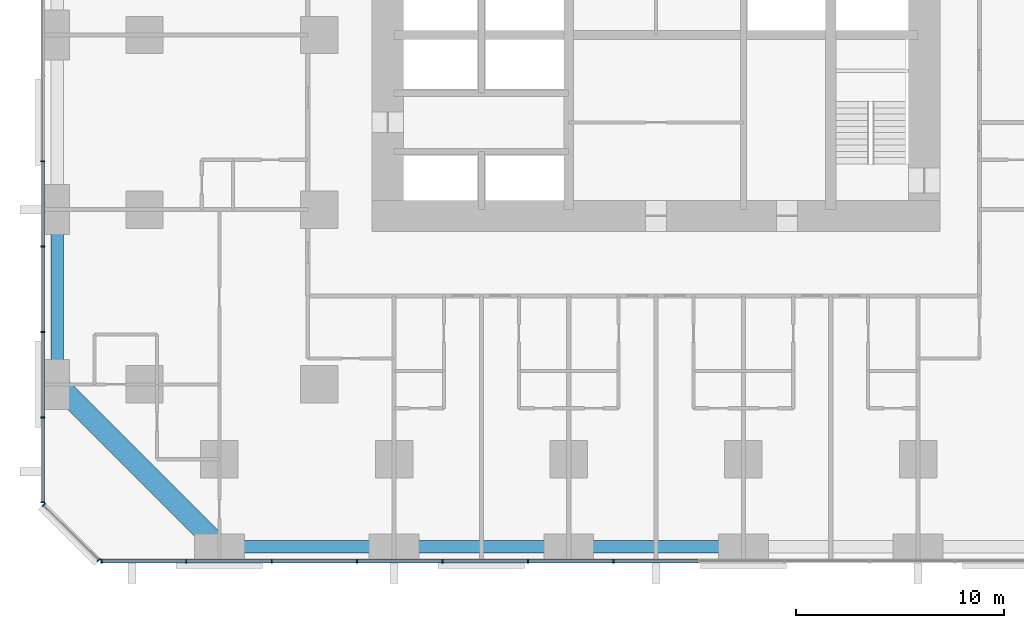
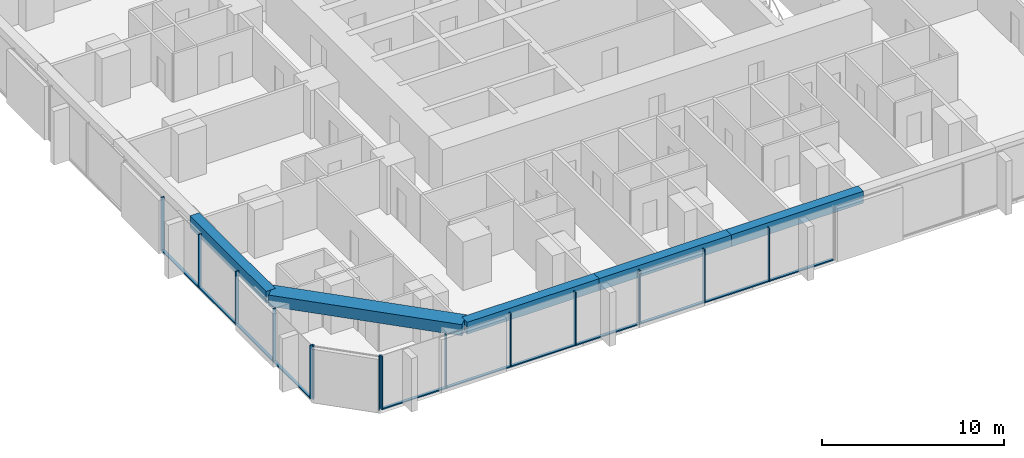
# One storey, part 2 of 17: 25 members, 5 beams, 3 elements without a shape of their own.
"""IFC4 building model written with IfcOpenShell, lengths in metres."""

from ifc_helpers import new_model, si_unit, direction, frame, origin, origin_2d, place, context, subcontext, project, spatial, rectangle, extrude, material, material_profile, profile_set, type_object, element, aggregate, save


model = new_model("IFC4")

# Units and contexts
model_context = context("Model", 3, precision=1e-05, world=origin(), true_north=direction((0.0, 1.0)))
body_context = subcontext(model_context, "Body", "Model", "MODEL_VIEW")
ifc_project = project(units=[si_unit("LENGTHUNIT", "METRE"), si_unit("AREAUNIT", "SQUARE_METRE"), si_unit("VOLUMEUNIT", "CUBIC_METRE"), si_unit("PLANEANGLEUNIT", "RADIAN"), si_unit("MASSUNIT", "GRAM", prefix="KILO")], contexts=[model_context])

# Site, building, storey
site_placement = place(None, origin())
site = spatial("IfcSite", under=ifc_project, at=site_placement, CompositionType="ELEMENT")
building_placement = place(site_placement, origin())
building = spatial("IfcBuilding", under=site, at=building_placement, Name="Dunama Terrace Hotel", CompositionType="ELEMENT")
storey_placement = place(building_placement, frame((0.0, 0.0, 73.800048828125)))
storey = spatial("IfcBuildingStorey", under=building, at=storey_placement, Name="L18", CompositionType="ELEMENT", Elevation=73.800048828125)

# Curtain wall, members
ifc_material_1 = material(Name="Aluminium curtain wall system", Category="aluminium")
curtain_wall_type = type_object("IfcCurtainWallType", Name="Unitised fritted glass wall CW-A", PredefinedType="NOTDEFINED", material=ifc_material_1)
curtain_wall_1_placement = place(storey_placement, origin())
curtain_wall_1 = element("IfcCurtainWall", 1, at=curtain_wall_1_placement, inside=storey, type_object=curtain_wall_type, Name="Unitised fritted glass wall CW-A L18", PredefinedType="NOTDEFINED")
ifc_material_2 = material(Name="Aluminium mullion", Category="aluminium")
ifc_material_profile_1 = material_profile(ifc_material_2, rectangle(XDim=0.06494140625, YDim=0.199951171875, at=origin_2d()), Name="CWA MULLION 65X200")
ifc_profile_set_1 = profile_set([ifc_material_profile_1], Name="Aluminium mullion")
member_type_1 = type_object("IfcMemberType", Name="CWA mullion 65x200", PredefinedType="MULLION", material=ifc_profile_set_1)
member_1_placement = place(storey_placement, frame((2.73291015625, -0.10009765625, 0.0), z_axis=(0.0, 0.0, 1.0), x_axis=(1.0, 0.0, 0.0)))
member_1 = element("IfcMember", 2, at=member_1_placement, type_object=member_type_1, Name="CWA mullion", PredefinedType="MULLION", context=body_context, shape_type="SweptSolid", body=[
    extrude(rectangle(XDim=0.06494140625, YDim=0.199951171875, at=origin_2d()), origin(), (0.0, 0.0, 1.0), 3.599853515625),
])
member_2_placement = place(storey_placement, frame((6.80810546875, -0.10009765625, 0.0), z_axis=(0.0, 0.0, 1.0), x_axis=(1.0, 0.0, 0.0)))
member_2 = element("IfcMember", 3, at=member_2_placement, type_object=member_type_1, Name="CWA mullion", PredefinedType="MULLION", context=body_context, shape_type="SweptSolid", body=[
    extrude(rectangle(XDim=0.06494140625, YDim=0.199951171875, at=origin_2d()), origin(), (0.0, 0.0, 1.0), 3.599853515625),
])
member_3_placement = place(storey_placement, frame((10.9150390625, -0.10009765625, 0.0), z_axis=(0.0, 0.0, 1.0), x_axis=(1.0, 0.0, 0.0)))
member_3 = element("IfcMember", 4, at=member_3_placement, type_object=member_type_1, Name="CWA mullion", PredefinedType="MULLION", context=body_context, shape_type="SweptSolid", body=[
    extrude(rectangle(XDim=0.06494140625, YDim=0.199951171875, at=origin_2d()), origin(), (0.0, 0.0, 1.0), 3.599853515625),
])
member_4_placement = place(storey_placement, frame((15.02294921875, -0.10009765625, 0.0), z_axis=(0.0, 0.0, 1.0), x_axis=(1.0, 0.0, 0.0)))
member_4 = element("IfcMember", 5, at=member_4_placement, type_object=member_type_1, Name="CWA mullion", PredefinedType="MULLION", context=body_context, shape_type="SweptSolid", body=[
    extrude(rectangle(XDim=0.06494140625, YDim=0.199951171875, at=origin_2d()), origin(), (0.0, 0.0, 1.0), 3.599853515625),
])
member_5_placement = place(storey_placement, frame((19.131103515625, -0.10009765625, 0.0), z_axis=(0.0, 0.0, 1.0), x_axis=(1.0, 0.0, 0.0)))
member_5 = element("IfcMember", 6, at=member_5_placement, type_object=member_type_1, Name="CWA mullion", PredefinedType="MULLION", context=body_context, shape_type="SweptSolid", body=[
    extrude(rectangle(XDim=0.06494140625, YDim=0.199951171875, at=origin_2d()), origin(), (0.0, 0.0, 1.0), 3.599853515625),
])
member_6_placement = place(storey_placement, frame((23.238037109375, -0.10009765625, 0.0), z_axis=(0.0, 0.0, 1.0), x_axis=(1.0, 0.0, 0.0)))
member_6 = element("IfcMember", 7, at=member_6_placement, type_object=member_type_1, Name="CWA mullion", PredefinedType="MULLION", context=body_context, shape_type="SweptSolid", body=[
    extrude(rectangle(XDim=0.06494140625, YDim=0.199951171875, at=origin_2d()), origin(), (0.0, 0.0, 1.0), 3.599853515625),
])
member_7_placement = place(storey_placement, frame((27.345947265625, -0.10009765625, 0.0), z_axis=(0.0, 0.0, 1.0), x_axis=(1.0, 0.0, 0.0)))
member_7 = element("IfcMember", 8, at=member_7_placement, type_object=member_type_1, Name="CWA mullion", PredefinedType="MULLION", context=body_context, shape_type="SweptSolid", body=[
    extrude(rectangle(XDim=0.06494140625, YDim=0.199951171875, at=origin_2d()), origin(), (0.0, 0.0, 1.0), 3.599853515625),
])

curtain_wall_2_placement = place(storey_placement, origin())
curtain_wall_2 = element("IfcCurtainWall", 9, at=curtain_wall_2_placement, inside=storey, type_object=curtain_wall_type, Name="Unitised fritted glass wall CW-A L18", PredefinedType="NOTDEFINED")
member_8_placement = place(storey_placement, frame((-0.10009765625, 19.131103515625, 0.0), z_axis=(0.0, 0.0, 1.0), x_axis=(0.0, -1.0, 0.0)))
member_8 = element("IfcMember", 10, at=member_8_placement, type_object=member_type_1, Name="CWA mullion", PredefinedType="MULLION", context=body_context, shape_type="SweptSolid", body=[
    extrude(rectangle(XDim=0.06494140625, YDim=0.199951171875, at=origin_2d()), origin(), (0.0, 0.0, 1.0), 3.599853515625),
])
member_9_placement = place(storey_placement, frame((-0.10009765625, 15.02294921875, 0.0), z_axis=(0.0, 0.0, 1.0), x_axis=(0.0, -1.0, 0.0)))
member_9 = element("IfcMember", 11, at=member_9_placement, type_object=member_type_1, Name="CWA mullion", PredefinedType="MULLION", context=body_context, shape_type="SweptSolid", body=[
    extrude(rectangle(XDim=0.06494140625, YDim=0.199951171875, at=origin_2d()), origin(), (0.0, 0.0, 1.0), 3.599853515625),
])
member_10_placement = place(storey_placement, frame((-0.10009765625, 10.9150390625, 0.0), z_axis=(0.0, 0.0, 1.0), x_axis=(0.0, -1.0, 0.0)))
member_10 = element("IfcMember", 12, at=member_10_placement, type_object=member_type_1, Name="CWA mullion", PredefinedType="MULLION", context=body_context, shape_type="SweptSolid", body=[
    extrude(rectangle(XDim=0.06494140625, YDim=0.199951171875, at=origin_2d()), origin(), (0.0, 0.0, 1.0), 3.599853515625),
])
member_11_placement = place(storey_placement, frame((-0.10009765625, 6.80810546875, 0.0), z_axis=(0.0, 0.0, 1.0), x_axis=(0.0, -1.0, 0.0)))
member_11 = element("IfcMember", 13, at=member_11_placement, type_object=member_type_1, Name="CWA mullion", PredefinedType="MULLION", context=body_context, shape_type="SweptSolid", body=[
    extrude(rectangle(XDim=0.06494140625, YDim=0.199951171875, at=origin_2d()), origin(), (0.0, 0.0, 1.0), 3.599853515625),
])
member_12_placement = place(storey_placement, frame((-0.10009765625, 2.73291015625, 0.0), z_axis=(0.0, 0.0, 1.0), x_axis=(0.0, -1.0, 0.0)))
member_12 = element("IfcMember", 14, at=member_12_placement, type_object=member_type_1, Name="CWA mullion", PredefinedType="MULLION", context=body_context, shape_type="SweptSolid", body=[
    extrude(rectangle(XDim=0.06494140625, YDim=0.199951171875, at=origin_2d()), origin(), (0.0, 0.0, 1.0), 3.599853515625),
])

curtain_wall_3_placement = place(storey_placement, origin())
curtain_wall_3 = element("IfcCurtainWall", 15, at=curtain_wall_3_placement, inside=storey, type_object=curtain_wall_type, Name="Unitised fritted glass wall CW-A L18", PredefinedType="NOTDEFINED")
member_13_placement = place(storey_placement, frame((-0.048095703125, 2.60595703125, 0.0), z_axis=(0.0, 0.0, 1.0), x_axis=(0.707106781187, -0.707106781187, 0.0)))
member_13 = element("IfcMember", 16, at=member_13_placement, type_object=member_type_1, Name="CWA mullion", PredefinedType="MULLION", context=body_context, shape_type="SweptSolid", body=[
    extrude(rectangle(XDim=0.06494140625, YDim=0.199951171875, at=origin_2d()), origin(), (0.0, 0.0, 1.0), 3.599853515625),
])
member_14_placement = place(storey_placement, frame((2.60595703125, -0.048095703125, 0.0), z_axis=(0.0, 0.0, 1.0), x_axis=(0.707106781187, -0.707106781187, 0.0)))
member_14 = element("IfcMember", 17, at=member_14_placement, type_object=member_type_1, Name="CWA mullion", PredefinedType="MULLION", context=body_context, shape_type="SweptSolid", body=[
    extrude(rectangle(XDim=0.06494140625, YDim=0.199951171875, at=origin_2d()), origin(), (0.0, 0.0, 1.0), 3.599853515625),
])
aggregate(curtain_wall_3, [member_13, member_14])

# Member
ifc_material_3 = material(Name="Aluminium transom", Category="aluminium")
ifc_material_profile_2 = material_profile(ifc_material_3, rectangle(XDim=0.179931640625, YDim=0.074951171875, at=origin_2d()), Name="CWA TRANSOM 180X75")
ifc_profile_set_2 = profile_set([ifc_material_profile_2], Name="Aluminium transom")
member_type_2 = type_object("IfcMemberType", Name="CWA transom 180x75", PredefinedType="USERDEFINED", material=ifc_profile_set_2)
member_15_placement = place(storey_placement, frame((2.764892578125, -0.10009765625, 0.037353515625), z_axis=(1.0, 0.0, 0.0), x_axis=(0.0, 1.0, 0.0)))
member_15 = element("IfcMember", 18, at=member_15_placement, type_object=member_type_2, Name="CWA transom", ObjectType="TRANSOM", PredefinedType="USERDEFINED", context=body_context, shape_type="SweptSolid", body=[
    extrude(rectangle(XDim=0.179931640625, YDim=0.074951171875, at=origin_2d()), origin(), (0.0, 0.0, 1.0), 4.010009765625),
])

member_16_placement = place(storey_placement, frame((6.840087890625, -0.10009765625, 0.037353515625), z_axis=(1.0, 0.0, 0.0), x_axis=(0.0, 1.0, 0.0)))
member_16 = element("IfcMember", 19, at=member_16_placement, type_object=member_type_2, Name="CWA transom", ObjectType="TRANSOM", PredefinedType="USERDEFINED", context=body_context, shape_type="SweptSolid", body=[
    extrude(rectangle(XDim=0.179931640625, YDim=0.074951171875, at=origin_2d()), origin(), (0.0, 0.0, 1.0), 4.04296875),
])

member_17_placement = place(storey_placement, frame((10.947998046875, -0.10009765625, 0.037353515625), z_axis=(1.0, 0.0, 0.0), x_axis=(0.0, 1.0, 0.0)))
member_17 = element("IfcMember", 20, at=member_17_placement, type_object=member_type_2, Name="CWA transom", ObjectType="TRANSOM", PredefinedType="USERDEFINED", context=body_context, shape_type="SweptSolid", body=[
    extrude(rectangle(XDim=0.179931640625, YDim=0.074951171875, at=origin_2d()), origin(), (0.0, 0.0, 1.0), 4.04296875),
])

member_18_placement = place(storey_placement, frame((15.055908203125, -0.10009765625, 0.037353515625), z_axis=(1.0, 0.0, 0.0), x_axis=(0.0, 1.0, 0.0)))
member_18 = element("IfcMember", 21, at=member_18_placement, type_object=member_type_2, Name="CWA transom", ObjectType="TRANSOM", PredefinedType="USERDEFINED", context=body_context, shape_type="SweptSolid", body=[
    extrude(rectangle(XDim=0.179931640625, YDim=0.074951171875, at=origin_2d()), origin(), (0.0, 0.0, 1.0), 4.0419921875),
])

member_19_placement = place(storey_placement, frame((19.1630859375, -0.10009765625, 0.037353515625), z_axis=(1.0, 0.0, 0.0), x_axis=(0.0, 1.0, 0.0)))
member_19 = element("IfcMember", 22, at=member_19_placement, type_object=member_type_2, Name="CWA transom", ObjectType="TRANSOM", PredefinedType="USERDEFINED", context=body_context, shape_type="SweptSolid", body=[
    extrude(rectangle(XDim=0.179931640625, YDim=0.074951171875, at=origin_2d()), origin(), (0.0, 0.0, 1.0), 4.04296875),
])

member_20_placement = place(storey_placement, frame((23.27099609375, -0.10009765625, 0.037353515625), z_axis=(1.0, 0.0, 0.0), x_axis=(0.0, 1.0, 0.0)))
member_20 = element("IfcMember", 23, at=member_20_placement, type_object=member_type_2, Name="CWA transom", ObjectType="TRANSOM", PredefinedType="USERDEFINED", context=body_context, shape_type="SweptSolid", body=[
    extrude(rectangle(XDim=0.179931640625, YDim=0.074951171875, at=origin_2d()), origin(), (0.0, 0.0, 1.0), 4.04296875),
])

member_21_placement = place(storey_placement, frame((27.37890625, -0.10009765625, 0.037353515625), z_axis=(1.0, 0.0, 0.0), x_axis=(0.0, 1.0, 0.0)))
member_21 = element("IfcMember", 24, at=member_21_placement, type_object=member_type_2, Name="CWA transom", ObjectType="TRANSOM", PredefinedType="USERDEFINED", context=body_context, shape_type="SweptSolid", body=[
    extrude(rectangle(XDim=0.179931640625, YDim=0.074951171875, at=origin_2d()), origin(), (0.0, 0.0, 1.0), 4.0419921875),
])

aggregate(curtain_wall_1, [member_1, member_2, member_3, member_4, member_5, member_6, member_7, member_15, member_16, member_17, member_18, member_19, member_20, member_21])

member_22_placement = place(storey_placement, frame((-0.10009765625, 19.097900390625, 0.037353515625), z_axis=(0.0, -1.0, 0.0), x_axis=(1.0, 0.0, 0.0)))
member_22 = element("IfcMember", 25, at=member_22_placement, type_object=member_type_2, Name="CWA transom", ObjectType="TRANSOM", PredefinedType="USERDEFINED", context=body_context, shape_type="SweptSolid", body=[
    extrude(rectangle(XDim=0.179931640625, YDim=0.074951171875, at=origin_2d()), origin(), (0.0, 0.0, 1.0), 4.0419921875),
])

member_23_placement = place(storey_placement, frame((-0.10009765625, 14.990966796875, 0.037353515625), z_axis=(0.0, -1.0, 0.0), x_axis=(1.0, 0.0, 0.0)))
member_23 = element("IfcMember", 26, at=member_23_placement, type_object=member_type_2, Name="CWA transom", ObjectType="TRANSOM", PredefinedType="USERDEFINED", context=body_context, shape_type="SweptSolid", body=[
    extrude(rectangle(XDim=0.179931640625, YDim=0.074951171875, at=origin_2d()), origin(), (0.0, 0.0, 1.0), 4.04296875),
])

member_24_placement = place(storey_placement, frame((-0.10009765625, 10.883056640625, 0.037353515625), z_axis=(0.0, -1.0, 0.0), x_axis=(1.0, 0.0, 0.0)))
member_24 = element("IfcMember", 27, at=member_24_placement, type_object=member_type_2, Name="CWA transom", ObjectType="TRANSOM", PredefinedType="USERDEFINED", context=body_context, shape_type="SweptSolid", body=[
    extrude(rectangle(XDim=0.179931640625, YDim=0.074951171875, at=origin_2d()), origin(), (0.0, 0.0, 1.0), 4.04296875),
])

member_25_placement = place(storey_placement, frame((-0.10009765625, 6.77490234375, 0.037353515625), z_axis=(0.0, -1.0, 0.0), x_axis=(1.0, 0.0, 0.0)))
member_25 = element("IfcMember", 28, at=member_25_placement, type_object=member_type_2, Name="CWA transom", ObjectType="TRANSOM", PredefinedType="USERDEFINED", context=body_context, shape_type="SweptSolid", body=[
    extrude(rectangle(XDim=0.179931640625, YDim=0.074951171875, at=origin_2d()), origin(), (0.0, 0.0, 1.0), 4.010009765625),
])

aggregate(curtain_wall_2, [member_8, member_9, member_10, member_11, member_12, member_22, member_23, member_24, member_25])

# Beams
ifc_material_4 = material(Name="Concrete C50/60", Category="concrete")
ifc_material_profile_3 = material_profile(ifc_material_4, rectangle(XDim=1.0, YDim=0.75, at=origin_2d()), Name="RC 1000x750")
ifc_profile_set_3 = profile_set([ifc_material_profile_3], Name="Concrete C50/60")
beam_type_1 = type_object("IfcBeamType", Name="Edge beam RC 1000x750", PredefinedType="SPANDREL", material=ifc_profile_set_3)
beam_1_placement = place(storey_placement, frame((8.39990234375, 0.60009765625, 3.224853515625), z_axis=(-0.707106781187, 0.707106781187, 0.0), x_axis=(-0.707106781187, -0.707106781187, 0.0)))
element("IfcBeam", 29, at=beam_1_placement, inside=storey, type_object=beam_type_1, Name="Corner edge beam under L19", PredefinedType="SPANDREL", context=body_context, shape_type="SweptSolid", body=[
    extrude(rectangle(XDim=1.0, YDim=0.75, at=origin_2d()), origin(), (0.0, 0.0, 1.0), 11.030517578125),
])
ifc_material_5 = material(Name="Concrete C40/50", Category="concrete")
ifc_material_profile_4 = material_profile(ifc_material_5, rectangle(XDim=0.60009765625, YDim=0.800048828125, at=origin_2d()), Name="RC 600x800")
ifc_profile_set_4 = profile_set([ifc_material_profile_4], Name="Concrete C40/50")
beam_type_2 = type_object("IfcBeamType", Name="Edge beam RC 600x800", PredefinedType="SPANDREL", material=ifc_profile_set_4)
for number, where, z_axis, x_axis, name in (
    (30, (0.60009765625, 8.39990234375, 3.199951171875), (0.0, 1.0, 0.0), (-1.0, 0.0, 0.0), "Edge beam under L19"),
    (31, (8.39990234375, 0.60009765625, 3.199951171875), (1.0, 0.0, 0.0), (0.0, 1.0, 0.0), "Edge beam under L19"),
):
    element("IfcBeam", number, at=place(storey_placement, frame(where, z_axis=z_axis, x_axis=x_axis)), inside=storey, type_object=beam_type_2, Name=name, PredefinedType="SPANDREL", context=body_context, shape_type="SweptSolid", body=[
        extrude(rectangle(XDim=0.60009765625, YDim=0.800048828125, at=origin_2d()), origin(), (0.0, 0.0, 1.0), 8.400146484375),
    ])
beam_2_placement = place(storey_placement, frame((16.800048828125, 0.60009765625, 3.199951171875), z_axis=(1.0, 0.0, 0.0), x_axis=(0.0, 1.0, 0.0)))
element("IfcBeam", 32, at=beam_2_placement, inside=storey, type_object=beam_type_2, Name="Edge beam under L19", PredefinedType="SPANDREL", context=body_context, shape_type="SweptSolid", body=[
    extrude(rectangle(XDim=0.60009765625, YDim=0.800048828125, at=origin_2d()), origin(), (0.0, 0.0, 1.0), 8.39990234375),
])
beam_3_placement = place(storey_placement, frame((25.199951171875, 0.60009765625, 3.199951171875), z_axis=(1.0, 0.0, 0.0), x_axis=(0.0, 1.0, 0.0)))
element("IfcBeam", 33, at=beam_3_placement, inside=storey, type_object=beam_type_2, Name="Edge beam under L19", PredefinedType="SPANDREL", context=body_context, shape_type="SweptSolid", body=[
    extrude(rectangle(XDim=0.60009765625, YDim=0.800048828125, at=origin_2d()), origin(), (0.0, 0.0, 1.0), 8.400146484375),
])

save(model, "model.ifc")
